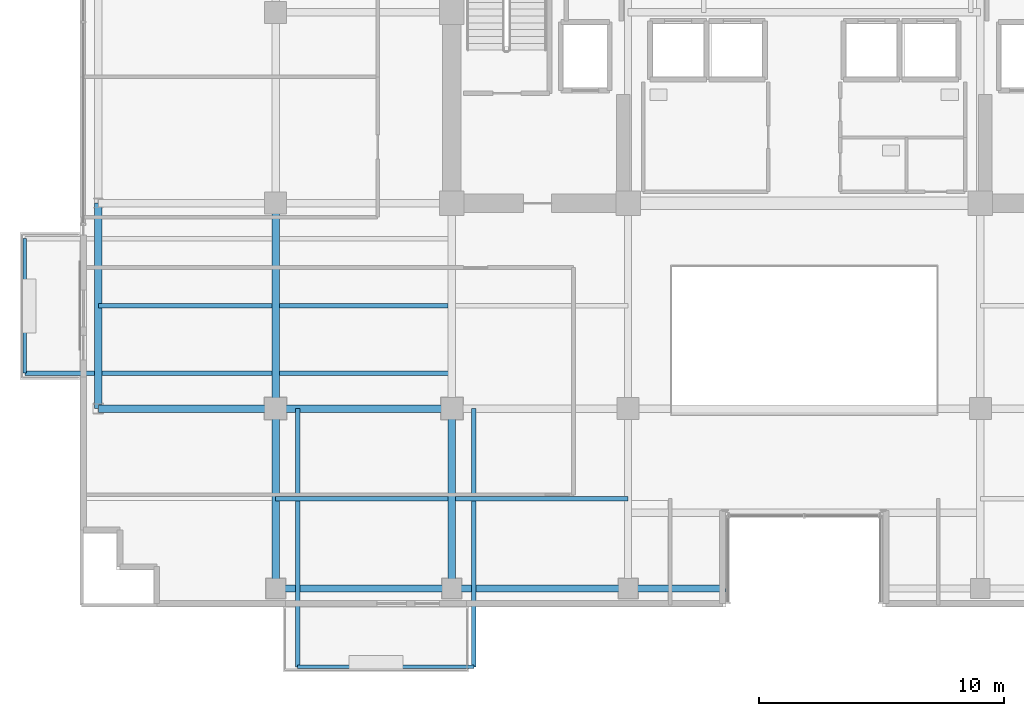
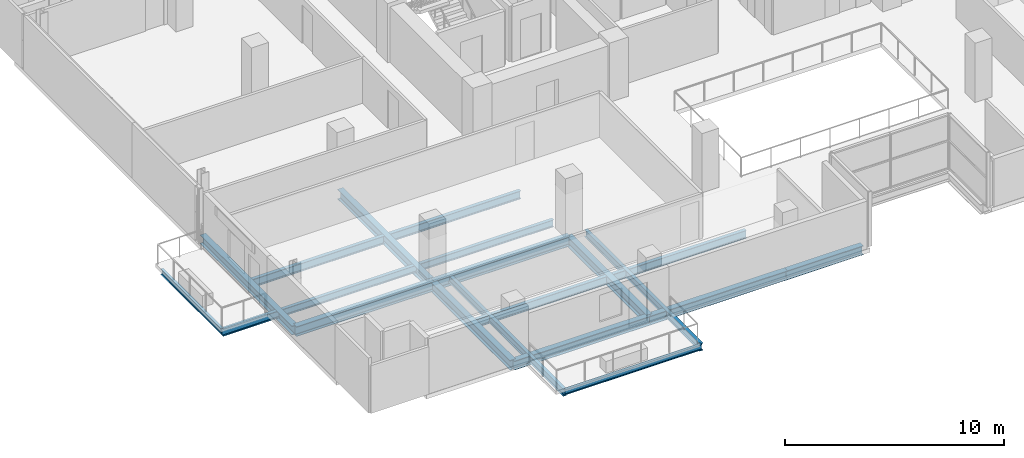
# One storey, part 2 of 28: 18 beams.
"""IFC4 building model written with IfcOpenShell, lengths in metres."""

from ifc_helpers import new_model, si_unit, direction, frame, origin, origin_2d, place, context, subcontext, project, spatial, i_section, extrude, material, material_profile, profile_set, type_object, element, save


model = new_model("IFC4")

# Units and contexts
model_context = context("Model", 3, precision=1e-05, world=origin(), true_north=direction((0.0, 1.0)))
body_context = subcontext(model_context, "Body", "Model", "MODEL_VIEW")
ifc_project = project(units=[si_unit("LENGTHUNIT", "METRE"), si_unit("AREAUNIT", "SQUARE_METRE"), si_unit("VOLUMEUNIT", "CUBIC_METRE"), si_unit("PLANEANGLEUNIT", "RADIAN"), si_unit("MASSUNIT", "GRAM", prefix="KILO")], contexts=[model_context])

# Site, building, storey
site_placement = place(None, origin())
site = spatial("IfcSite", under=ifc_project, at=site_placement, CompositionType="ELEMENT")
building_placement = place(site_placement, origin())
building = spatial("IfcBuilding", under=site, at=building_placement, Name="Zarnakvel Exchange Tower", CompositionType="ELEMENT")
storey_placement = place(building_placement, frame((0.0, 0.0, 90.10009765625)))
storey = spatial("IfcBuildingStorey", under=building, at=storey_placement, Name="L24", CompositionType="ELEMENT", Elevation=90.10009765625)

# Beams
ifc_material = material(Name="Steel S355", Category="steel")
ifc_material_profile_1 = material_profile(ifc_material, i_section(OverallWidth=0.18994140625, OverallDepth=0.449951171875, WebThickness=0.009521484375, FlangeThickness=0.0146484375, FilletRadius=0.02099609375, at=origin_2d()))
ifc_profile_set_1 = profile_set([ifc_material_profile_1], Name="Steel S355")
beam_type_1 = type_object("IfcBeamType", Name="B-05", PredefinedType="JOIST", material=ifc_profile_set_1)
for number, where, z_axis, x_axis, name in (
    (1, (-21.60009765625, -13.27490234375, -0.4501953125), (1.0, 0.0, 0.0), (0.0, 1.0, 0.0), "L24 Composite Floor Secondary Joist"),
    (2, (-14.25, -13.27490234375, -0.4501953125), (1.0, 0.0, 0.0), (0.0, 1.0, 0.0), "L24 Composite Floor Secondary Joist"),
):
    element("IfcBeam", number, at=place(storey_placement, frame(where, z_axis=z_axis, x_axis=x_axis)), inside=storey, type_object=beam_type_1, Name=name, PredefinedType="JOIST", context=body_context, shape_type="SweptSolid", body=[
        extrude(i_section(OverallWidth=0.18994140625, OverallDepth=0.449951171875, WebThickness=0.009521484375, FlangeThickness=0.0146484375, FilletRadius=0.02099609375, at=origin_2d()), origin(), (0.0, 0.0, 1.0), 7.050048828125),
    ])
beam_1_placement = place(storey_placement, frame((-28.85009765625, -5.39990234375, -0.4501953125), z_axis=(1.0, 0.0, 0.0), x_axis=(0.0, 1.0, 0.0)))
element("IfcBeam", 3, at=beam_1_placement, inside=storey, type_object=beam_type_1, Name="L24 Composite Floor Secondary Joist", PredefinedType="JOIST", context=body_context, shape_type="SweptSolid", body=[
    extrude(i_section(OverallWidth=0.18994140625, OverallDepth=0.449951171875, WebThickness=0.009521484375, FlangeThickness=0.0146484375, FilletRadius=0.02099609375, at=origin_2d()), origin(), (0.0, 0.0, 1.0), 7.10009765625),
])
beam_2_placement = place(storey_placement, frame((-21.449951171875, -5.39990234375, -0.4501953125), z_axis=(1.0, 0.0, 0.0), x_axis=(0.0, 1.0, 0.0)))
element("IfcBeam", 4, at=beam_2_placement, inside=storey, type_object=beam_type_1, Name="L24 Composite Floor Secondary Joist", PredefinedType="JOIST", context=body_context, shape_type="SweptSolid", body=[
    extrude(i_section(OverallWidth=0.18994140625, OverallDepth=0.449951171875, WebThickness=0.009521484375, FlangeThickness=0.0146484375, FilletRadius=0.02099609375, at=origin_2d()), origin(), (0.0, 0.0, 1.0), 6.89990234375),
])
ifc_material_profile_2 = material_profile(ifc_material, i_section(OverallWidth=0.179931640625, OverallDepth=0.39990234375, WebThickness=0.008544921875, FlangeThickness=0.013427734375, FilletRadius=0.02099609375, at=origin_2d()))
ifc_profile_set_2 = profile_set([ifc_material_profile_2], Name="Steel S355")
beam_type_2 = type_object("IfcBeamType", Name="B-06", PredefinedType="JOIST", material=ifc_profile_set_2)
for number, where, z_axis, x_axis, name in (
    (5, (-20.699951171875, -9.60009765625, -0.425048828125), (0.0, -1.0, 0.0), (1.0, 0.0, 0.0), "L24 Continuous Back-Spanned Balcony Beam W"),
    (6, (-13.5, -9.60009765625, -0.425048828125), (0.0, -1.0, 0.0), (1.0, 0.0, 0.0), "L24 Continuous Back-Spanned Balcony Beam E"),
):
    element("IfcBeam", number, at=place(storey_placement, frame(where, z_axis=z_axis, x_axis=x_axis)), inside=storey, type_object=beam_type_2, Name=name, PredefinedType="JOIST", context=body_context, shape_type="SweptSolid", body=[
        extrude(i_section(OverallWidth=0.179931640625, OverallDepth=0.39990234375, WebThickness=0.008544921875, FlangeThickness=0.013427734375, FilletRadius=0.02099609375, at=origin_2d()), origin(), (0.0, 0.0, 1.0), 10.5498046875),
    ])
beam_3_placement = place(storey_placement, frame((-14.39990234375, -8.14990234375, -0.425048828125), z_axis=(-1.0, 0.0, 0.0), x_axis=(0.0, -1.0, 0.0)))
element("IfcBeam", 7, at=beam_3_placement, inside=storey, type_object=beam_type_2, Name="L24 Continuous West Loggia Beam S", PredefinedType="JOIST", context=body_context, shape_type="SweptSolid", body=[
    extrude(i_section(OverallWidth=0.179931640625, OverallDepth=0.39990234375, WebThickness=0.008544921875, FlangeThickness=0.013427734375, FilletRadius=0.02099609375, at=origin_2d()), origin(), (0.0, 0.0, 1.0), 17.4501953125),
])
ifc_material_profile_3 = material_profile(ifc_material, i_section(OverallWidth=0.14990234375, OverallDepth=0.300048828125, WebThickness=0.007080078125, FlangeThickness=0.0107421875, FilletRadius=0.014892578125, at=origin_2d()))
ifc_profile_set_3 = profile_set([ifc_material_profile_3], Name="Steel S355")
beam_type_3 = type_object("IfcBeamType", Name="B-08", PredefinedType="JOIST", material=ifc_profile_set_3)
beam_4_placement = place(storey_placement, frame((-20.699951171875, -20.14990234375, -0.375), z_axis=(1.0, 0.0, 0.0), x_axis=(0.0, 1.0, 0.0)))
element("IfcBeam", 8, at=beam_4_placement, inside=storey, type_object=beam_type_3, Name="L24 Balcony Edge Beam", PredefinedType="JOIST", context=body_context, shape_type="SweptSolid", body=[
    extrude(i_section(OverallWidth=0.14990234375, OverallDepth=0.300048828125, WebThickness=0.007080078125, FlangeThickness=0.0107421875, FilletRadius=0.014892578125, at=origin_2d()), origin(), (0.0, 0.0, 1.0), 7.199951171875),
])
beam_5_placement = place(storey_placement, frame((-31.85009765625, -8.14990234375, -0.375), z_axis=(0.0, 1.0, 0.0), x_axis=(-1.0, 0.0, 0.0)))
element("IfcBeam", 9, at=beam_5_placement, inside=storey, type_object=beam_type_3, Name="L24 West Loggia Edge Beam", PredefinedType="JOIST", context=body_context, shape_type="SweptSolid", body=[
    extrude(i_section(OverallWidth=0.14990234375, OverallDepth=0.300048828125, WebThickness=0.007080078125, FlangeThickness=0.0107421875, FilletRadius=0.014892578125, at=origin_2d()), origin(), (0.0, 0.0, 1.0), 5.5),
])
ifc_material_profile_4 = material_profile(ifc_material, i_section(OverallWidth=0.300048828125, OverallDepth=0.550048828125, WebThickness=0.014892578125, FlangeThickness=0.029052734375, FilletRadius=0.027099609375, at=origin_2d()))
ifc_profile_set_4 = profile_set([ifc_material_profile_4], Name="Steel S355")
beam_type_4 = type_object("IfcBeamType", Name="G-05", PredefinedType="BEAM", material=ifc_profile_set_4)
beam_6_placement = place(storey_placement, frame((-28.85009765625, -9.60009765625, -0.5), z_axis=(1.0, 0.0, 0.0), x_axis=(0.0, 1.0, 0.0)))
element("IfcBeam", 10, at=beam_6_placement, inside=storey, type_object=beam_type_4, Name="L24 Tower E-W Frame Beam", PredefinedType="BEAM", context=body_context, shape_type="SweptSolid", body=[
    extrude(i_section(OverallWidth=0.300048828125, OverallDepth=0.550048828125, WebThickness=0.014892578125, FlangeThickness=0.029052734375, FilletRadius=0.027099609375, at=origin_2d()), origin(), (0.0, 0.0, 1.0), 7.25),
])
beam_7_placement = place(storey_placement, frame((-21.60009765625, -9.60009765625, -0.5), z_axis=(1.0, 0.0, 0.0), x_axis=(0.0, 1.0, 0.0)))
element("IfcBeam", 11, at=beam_7_placement, inside=storey, type_object=beam_type_4, Name="L24 Tower E-W Frame Beam", PredefinedType="BEAM", context=body_context, shape_type="SweptSolid", body=[
    extrude(i_section(OverallWidth=0.300048828125, OverallDepth=0.550048828125, WebThickness=0.014892578125, FlangeThickness=0.029052734375, FilletRadius=0.027099609375, at=origin_2d()), origin(), (0.0, 0.0, 1.0), 7.2001953125),
])
beam_8_placement = place(storey_placement, frame((-21.60009765625, -16.949951171875, -0.5), z_axis=(0.0, 1.0, 0.0), x_axis=(-1.0, 0.0, 0.0)))
element("IfcBeam", 12, at=beam_8_placement, inside=storey, type_object=beam_type_4, Name="L24 Tower N-S Frame Beam", PredefinedType="BEAM", context=body_context, shape_type="SweptSolid", body=[
    extrude(i_section(OverallWidth=0.300048828125, OverallDepth=0.550048828125, WebThickness=0.014892578125, FlangeThickness=0.029052734375, FilletRadius=0.027099609375, at=origin_2d()), origin(), (0.0, 0.0, 1.0), 7.349853515625),
])
beam_9_placement = place(storey_placement, frame((-21.60009765625, -9.60009765625, -0.5), z_axis=(0.0, 1.0, 0.0), x_axis=(-1.0, 0.0, 0.0)))
element("IfcBeam", 13, at=beam_9_placement, inside=storey, type_object=beam_type_4, Name="L24 Tower N-S Frame Beam", PredefinedType="BEAM", context=body_context, shape_type="SweptSolid", body=[
    extrude(i_section(OverallWidth=0.300048828125, OverallDepth=0.550048828125, WebThickness=0.014892578125, FlangeThickness=0.029052734375, FilletRadius=0.027099609375, at=origin_2d()), origin(), (0.0, 0.0, 1.0), 8.400146484375),
])
beam_10_placement = place(storey_placement, frame((-14.39990234375, -16.949951171875, -0.5), z_axis=(0.0, 1.0, 0.0), x_axis=(-1.0, 0.0, 0.0)))
element("IfcBeam", 14, at=beam_10_placement, inside=storey, type_object=beam_type_4, Name="L24 Tower N-S Frame Beam", PredefinedType="BEAM", context=body_context, shape_type="SweptSolid", body=[
    extrude(i_section(OverallWidth=0.300048828125, OverallDepth=0.550048828125, WebThickness=0.014892578125, FlangeThickness=0.029052734375, FilletRadius=0.027099609375, at=origin_2d()), origin(), (0.0, 0.0, 1.0), 7.349853515625),
])
ifc_material_profile_5 = material_profile(ifc_material, i_section(OverallWidth=0.300048828125, OverallDepth=0.5, WebThickness=0.014404296875, FlangeThickness=0.028076171875, FilletRadius=0.027099609375, at=origin_2d()))
ifc_profile_set_5 = profile_set([ifc_material_profile_5], Name="Steel S355")
beam_type_5 = type_object("IfcBeamType", Name="SP-02", PredefinedType="SPANDREL", material=ifc_profile_set_5)
beam_11_placement = place(storey_placement, frame((-21.60009765625, -16.949951171875, -0.47509765625), z_axis=(1.0, 0.0, 0.0), x_axis=(0.0, 1.0, 0.0)))
element("IfcBeam", 15, at=beam_11_placement, inside=storey, type_object=beam_type_5, Name="L24 Tower E-W Frame Beam", PredefinedType="SPANDREL", context=body_context, shape_type="SweptSolid", body=[
    extrude(i_section(OverallWidth=0.300048828125, OverallDepth=0.5, WebThickness=0.014404296875, FlangeThickness=0.028076171875, FilletRadius=0.027099609375, at=origin_2d()), origin(), (0.0, 0.0, 1.0), 7.2001953125),
])
beam_12_placement = place(storey_placement, frame((-14.39990234375, -16.949951171875, -0.47509765625), z_axis=(1.0, 0.0, 0.0), x_axis=(0.0, 1.0, 0.0)))
element("IfcBeam", 16, at=beam_12_placement, inside=storey, type_object=beam_type_5, Name="L24 Tower E-W Frame Beam", PredefinedType="SPANDREL", context=body_context, shape_type="SweptSolid", body=[
    extrude(i_section(OverallWidth=0.300048828125, OverallDepth=0.5, WebThickness=0.014404296875, FlangeThickness=0.028076171875, FilletRadius=0.027099609375, at=origin_2d()), origin(), (0.0, 0.0, 1.0), 7.199951171875),
])
beam_13_placement = place(storey_placement, frame((-7.199951171875, -16.949951171875, -0.47509765625), z_axis=(1.0, 0.0, 0.0), x_axis=(0.0, 1.0, 0.0)))
element("IfcBeam", 17, at=beam_13_placement, inside=storey, type_object=beam_type_5, Name="L24 South Slot West Jamb Spandrel", PredefinedType="SPANDREL", context=body_context, shape_type="SweptSolid", body=[
    extrude(i_section(OverallWidth=0.300048828125, OverallDepth=0.5, WebThickness=0.014404296875, FlangeThickness=0.028076171875, FilletRadius=0.027099609375, at=origin_2d()), origin(), (0.0, 0.0, 1.0), 4.0),
])
beam_14_placement = place(storey_placement, frame((-28.85009765625, -9.60009765625, -0.47509765625), z_axis=(0.0, 1.0, 0.0), x_axis=(-1.0, 0.0, 0.0)))
element("IfcBeam", 18, at=beam_14_placement, inside=storey, type_object=beam_type_5, Name="L24 Tower N-S Frame Beam", PredefinedType="SPANDREL", context=body_context, shape_type="SweptSolid", body=[
    extrude(i_section(OverallWidth=0.300048828125, OverallDepth=0.5, WebThickness=0.014404296875, FlangeThickness=0.028076171875, FilletRadius=0.027099609375, at=origin_2d()), origin(), (0.0, 0.0, 1.0), 8.400146484375),
])

save(model, "model.ifc")
